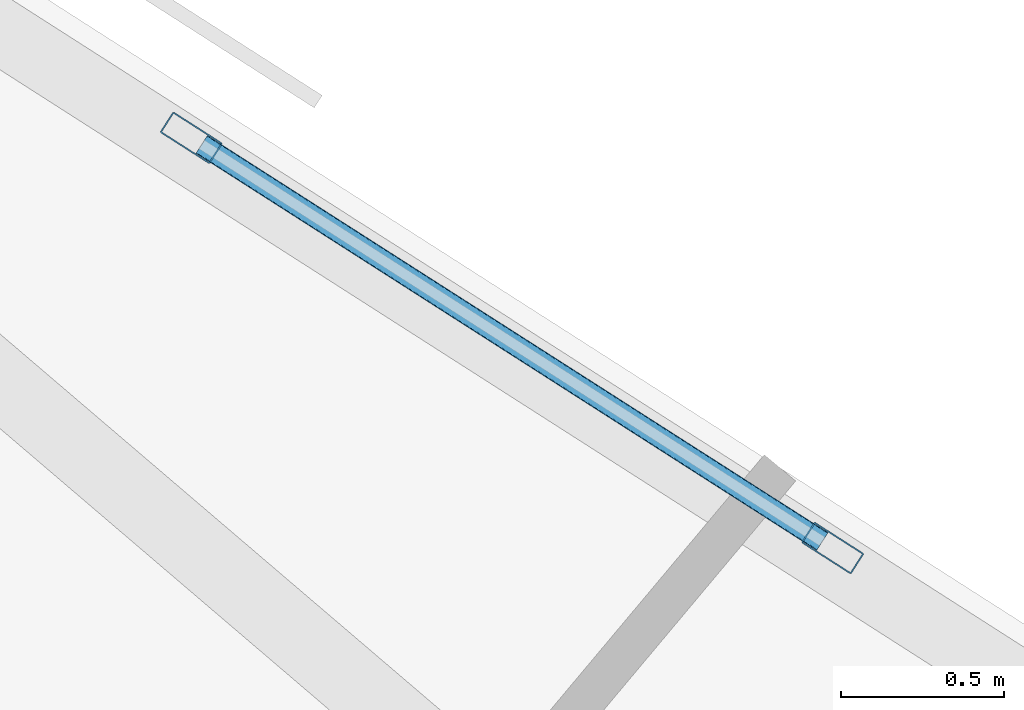
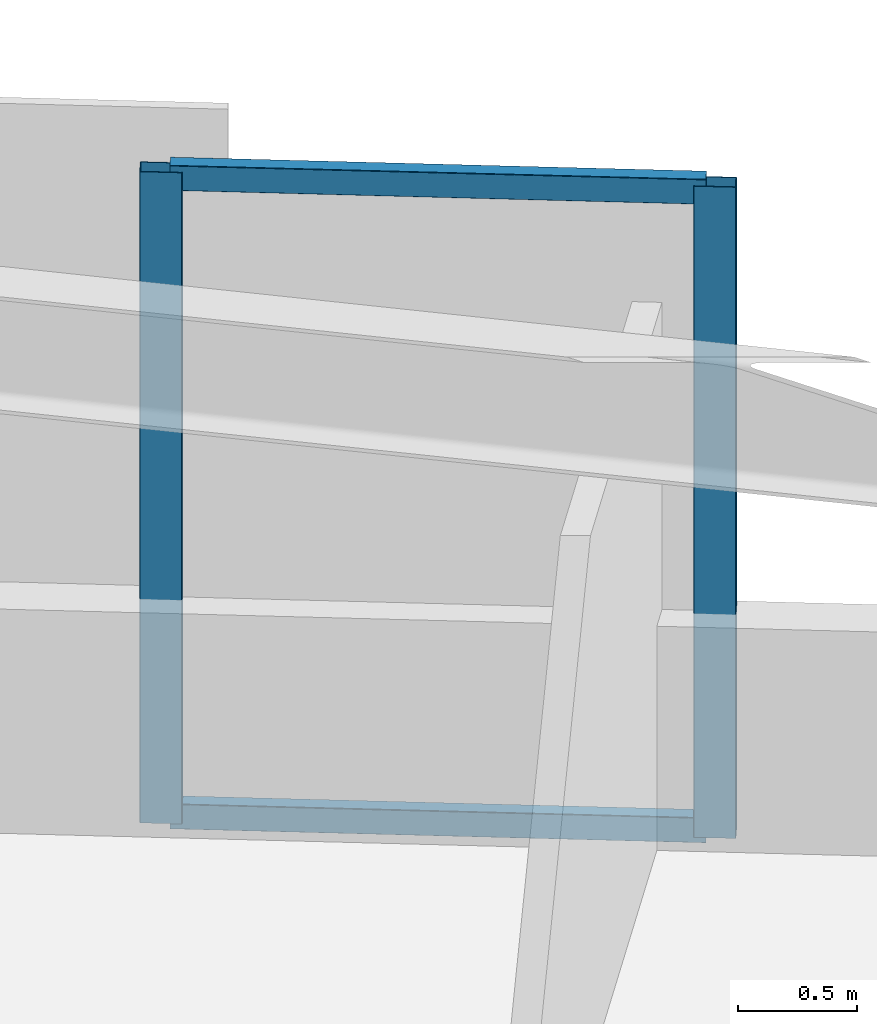
# One storey, part 2 of 16: 4 members, 1 element without a shape of its own.
"""IFC4 building model written with IfcOpenShell, lengths in metres."""

from ifc_helpers import new_model, si_unit, direction, frame, origin, origin_2d, place, context, subcontext, project, spatial, hollow_rectangle, extrude, material, material_profile, profile_set, type_object, element, aggregate, save


model = new_model("IFC4")

# Units and contexts
model_context = context("Model", 3, precision=1e-05, world=origin(), true_north=direction((0.0, 1.0)))
body_context = subcontext(model_context, "Body", "Model", "MODEL_VIEW")
ifc_project = project(units=[si_unit("LENGTHUNIT", "METRE"), si_unit("AREAUNIT", "SQUARE_METRE"), si_unit("VOLUMEUNIT", "CUBIC_METRE"), si_unit("PLANEANGLEUNIT", "RADIAN"), si_unit("MASSUNIT", "GRAM", prefix="KILO")], contexts=[model_context])

# Site, building, storey
site_placement = place(None, origin())
site = spatial("IfcSite", under=ifc_project, at=site_placement, CompositionType="ELEMENT")
building_placement = place(site_placement, origin())
building = spatial("IfcBuilding", under=site, at=building_placement, Name="Narakoshi Arena Tower", CompositionType="ELEMENT")
storey_placement = place(building_placement, frame((0.0, 0.0, 66.89990234375)))
storey = spatial("IfcBuildingStorey", under=building, at=storey_placement, Name="L17", CompositionType="ELEMENT", Elevation=66.89990234375)

# Curtain wall, members
ifc_material = material(Name="Anodised bronze aluminium 6063-T6", Category="aluminium")
curtain_wall_type = type_object("IfcCurtainWallType", Name="CW-HYP-LOW", PredefinedType="NOTDEFINED", material=ifc_material)
curtain_wall_placement = place(storey_placement, origin())
curtain_wall = element("IfcCurtainWall", 1, at=curtain_wall_placement, inside=storey, type_object=curtain_wall_type, Name="L17 Folded Hypotenuse Curtain Wall 2-1", PredefinedType="NOTDEFINED")
ifc_material_profile_1 = material_profile(ifc_material, hollow_rectangle(XDim=0.074951171875, YDim=0.179931640625, WallThickness=0.00390625, OuterFilletRadius=0.0048828125, at=origin_2d()), Name="MUL180x75x4")
ifc_profile_set_1 = profile_set([ifc_material_profile_1], Name="Anodised bronze aluminium 6063-T6")
member_type_1 = type_object("IfcMemberType", Name="MEM-MUL-180", PredefinedType="MULLION", material=ifc_profile_set_1)
member_1_placement = place(storey_placement, frame((91.90234375, 60.801025390625, 0.0), z_axis=(0.0, 0.0, 1.0), x_axis=(-0.538822365864, -0.842419407448, 0.0)))
member_1 = element("IfcMember", 2, at=member_1_placement, type_object=member_type_1, Name="CW-01 mullion 1", PredefinedType="MULLION", context=body_context, shape_type="SweptSolid", body=[
    extrude(hollow_rectangle(XDim=0.074951171875, YDim=0.179931640625, WallThickness=0.00390625, OuterFilletRadius=0.0048828125, at=origin_2d()), origin(), (0.0, 0.0, 1.0), 3.340087890625),
])
member_2_placement = place(storey_placement, frame((89.93994140625, 62.056396484375, 0.0), z_axis=(0.0, 0.0, 1.0), x_axis=(-0.538822365864, -0.842419407448, 0.0)))
member_2 = element("IfcMember", 3, at=member_2_placement, type_object=member_type_1, Name="CW-01 mullion 2", PredefinedType="MULLION", context=body_context, shape_type="SweptSolid", body=[
    extrude(hollow_rectangle(XDim=0.074951171875, YDim=0.179931640625, WallThickness=0.00390625, OuterFilletRadius=0.0048828125, at=origin_2d()), origin(), (0.0, 0.0, 1.0), 3.340087890625),
])
ifc_material_profile_2 = material_profile(ifc_material, hollow_rectangle(XDim=0.06494140625, YDim=0.1298828125, WallThickness=0.00390625, OuterFilletRadius=0.0048828125, at=origin_2d()), Name="TRN130x65x4")
ifc_profile_set_2 = profile_set([ifc_material_profile_2], Name="Anodised bronze aluminium 6063-T6")
member_type_2 = type_object("IfcMemberType", Name="MEM-TRN-130", PredefinedType="USERDEFINED", material=ifc_profile_set_2)
member_3_placement = place(storey_placement, frame((91.870849609375, 60.8212890625, 0.03271484375), z_axis=(-0.842397246246, 0.538857012125, 0.0), x_axis=(-0.538857012125, -0.842397246246, 0.0)))
member_3 = element("IfcMember", 4, at=member_3_placement, type_object=member_type_2, Name="CW-01 transom 1.1", ObjectType="TRANSOM", PredefinedType="USERDEFINED", context=body_context, shape_type="SweptSolid", body=[
    extrude(hollow_rectangle(XDim=0.06494140625, YDim=0.1298828125, WallThickness=0.00390625, OuterFilletRadius=0.0048828125, at=origin_2d()), origin(), (0.0, 0.0, 1.0), 2.25439453125),
])
member_4_placement = place(storey_placement, frame((91.870849609375, 60.8212890625, 3.3076171875), z_axis=(-0.842397246246, 0.538857012125, 0.0), x_axis=(-0.538857012125, -0.842397246246, 0.0)))
member_4 = element("IfcMember", 5, at=member_4_placement, type_object=member_type_2, Name="CW-01 transom 1.2", ObjectType="TRANSOM", PredefinedType="USERDEFINED", context=body_context, shape_type="SweptSolid", body=[
    extrude(hollow_rectangle(XDim=0.06494140625, YDim=0.1298828125, WallThickness=0.00390625, OuterFilletRadius=0.0048828125, at=origin_2d()), origin(), (0.0, 0.0, 1.0), 2.25439453125),
])
aggregate(curtain_wall, [member_1, member_2, member_3, member_4])

save(model, "model.ifc")
